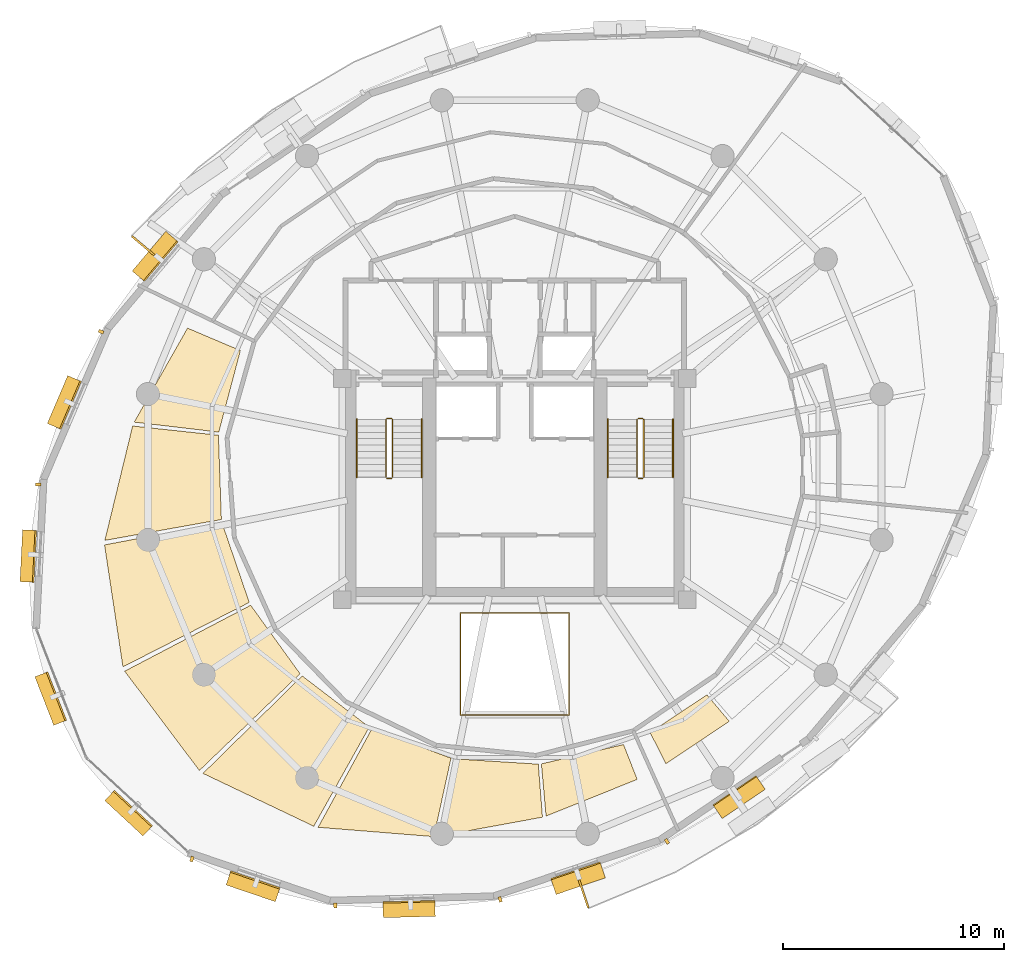
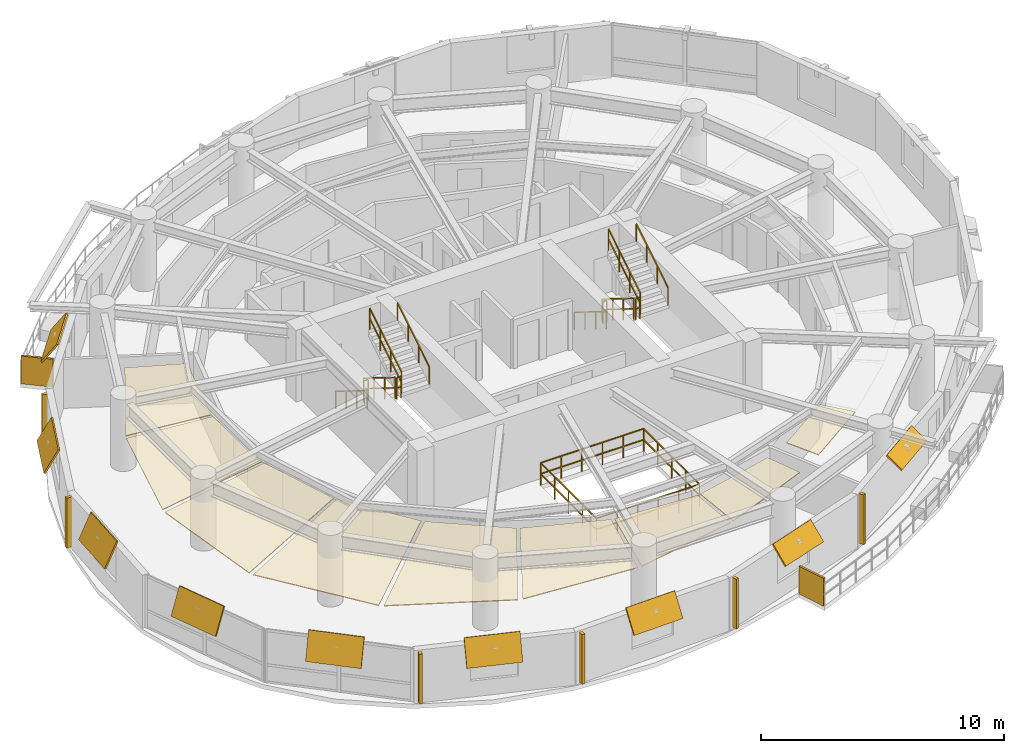
# One storey, part 11 of 12: 17 shading devices, 13 railings, 9 coverings.
"""IFC4 building model written with IfcOpenShell, lengths in metres."""

from ifc_helpers import new_model, si_unit, direction, frame, origin, origin_2d, place, context, subcontext, project, spatial, polyline, rectangle, outline, extrude, material, layer, layer_set, type_object, element, save


model = new_model("IFC4")

# Units and contexts
model_context = context("Model", 3, precision=1e-05, world=origin(), true_north=direction((0.0, 1.0)))
body_context = subcontext(model_context, "Body", "Model", "MODEL_VIEW")
ifc_project = project(units=[si_unit("LENGTHUNIT", "METRE"), si_unit("AREAUNIT", "SQUARE_METRE"), si_unit("VOLUMEUNIT", "CUBIC_METRE"), si_unit("PLANEANGLEUNIT", "RADIAN"), si_unit("MASSUNIT", "GRAM", prefix="KILO"), si_unit("THERMODYNAMICTEMPERATUREUNIT", "KELVIN"), si_unit("POWERUNIT", "WATT")], contexts=[model_context])

# Site, building, storey
site_placement = place(None, origin())
site = spatial("IfcSite", under=ifc_project, at=site_placement, CompositionType="ELEMENT")
building_placement = place(site_placement, origin())
building = spatial("IfcBuilding", under=site, at=building_placement, Name="Ocrelia Relay Tower", CompositionType="ELEMENT")
storey_placement = place(building_placement, frame((0.0, 0.0, 177.199951171875)))
storey = spatial("IfcBuildingStorey", under=building, at=storey_placement, Name="L42", CompositionType="ELEMENT", Elevation=177.199951171875)

# Coverings
ifc_material_1 = material(Name="Mineral-fiber acoustic ceiling tile", Category="gypsum")
ifc_layer_1 = layer(ifc_material_1, 0.0400390625, Name="Mineral-fiber acoustic ceiling tile")
ifc_layer_set_1 = layer_set([ifc_layer_1], Name="Mineral-fiber acoustic ceiling tile")
covering_type = type_object("IfcCoveringType", Name="COV-CEIL-ACOUSTIC", PredefinedType="CEILING", material=ifc_layer_set_1)
covering_1_placement = place(storey_placement, frame((0.0, 0.0, 2.380126953125)))
element("IfcCovering", 1, at=covering_1_placement, inside=storey, type_object=covering_type, Name="L42 Architecture Seminar Room Suspended Ceiling 1", PredefinedType="CEILING", context=body_context, shape_type="SweptSolid", body=[
    extrude(outline(polyline([(21.600830078125, 31.26318359375), (19.21044921875, 32.27783203125), (16.801513671875, 28.028076171875), (20.622802734375, 27.577392578125), (21.600830078125, 31.26318359375)])), origin(), (0.0, 0.0, 1.0), 0.0400390625),
])
covering_2_placement = place(storey_placement, frame((0.0, 0.0, 2.380126953125)))
element("IfcCovering", 2, at=covering_2_placement, inside=storey, type_object=covering_type, Name="L42 Architecture Seminar Room Suspended Ceiling 2", PredefinedType="CEILING", context=body_context, shape_type="SweptSolid", body=[
    extrude(outline(polyline([(20.60693359375, 27.437255859375), (16.72900390625, 27.853515625), (15.473388671875, 22.68310546875), (20.74072265625, 23.626220703125), (20.60693359375, 27.437255859375)])), origin(), (0.0, 0.0, 1.0), 0.0400390625),
])
covering_3_placement = place(storey_placement, frame((0.0, 0.0, 2.380126953125)))
element("IfcCovering", 3, at=covering_3_placement, inside=storey, type_object=covering_type, Name="L42 Architecture Seminar Room Suspended Ceiling 3", PredefinedType="CEILING", context=body_context, shape_type="SweptSolid", body=[
    extrude(outline(polyline([(20.766357421875, 23.487548828125), (15.459716796875, 22.47998046875), (16.291015625, 16.967041015625), (22.000732421875, 19.87939453125), (20.766357421875, 23.487548828125)])), origin(), (0.0, 0.0, 1.0), 0.0400390625),
])
covering_4_placement = place(storey_placement, frame((0.0, 0.0, 2.380126953125)))
element("IfcCovering", 4, at=covering_4_placement, inside=storey, type_object=covering_type, Name="L42 Architecture Seminar Room Suspended Ceiling 4", PredefinedType="CEILING", context=body_context, shape_type="SweptSolid", body=[
    extrude(outline(polyline([(22.065673828125, 19.754150390625), (16.36962890625, 16.773193359375), (19.74560546875, 12.28271484375), (24.294189453125, 16.659912109375), (22.065673828125, 19.754150390625)])), origin(), (0.0, 0.0, 1.0), 0.0400390625),
])
covering_5_placement = place(storey_placement, frame((0.0, 0.0, 2.380126953125)))
element("IfcCovering", 5, at=covering_5_placement, inside=storey, type_object=covering_type, Name="L42 Architecture Seminar Room Suspended Ceiling 5", PredefinedType="CEILING", context=body_context, shape_type="SweptSolid", body=[
    extrude(outline(polyline([(24.392578125, 16.558837890625), (19.9091796875, 12.15283203125), (24.91650390625, 9.763916015625), (27.42333984375, 14.24462890625), (24.392578125, 16.558837890625)])), origin(), (0.0, 0.0, 1.0), 0.0400390625),
])
covering_6_placement = place(storey_placement, frame((0.0, 0.0, 2.380126953125)))
element("IfcCovering", 6, at=covering_6_placement, inside=storey, type_object=covering_type, Name="L42 Architecture Seminar Room Suspended Ceiling 6", PredefinedType="CEILING", context=body_context, shape_type="SweptSolid", body=[
    extrude(outline(polyline([(27.546875, 14.176513671875), (25.1123046875, 9.7158203125), (30.342529296875, 9.295166015625), (31.118896484375, 12.841796875), (27.546875, 14.176513671875)])), origin(), (0.0, 0.0, 1.0), 0.0400390625),
])
covering_7_placement = place(storey_placement, frame((0.0, 0.0, 2.380126953125)))
element("IfcCovering", 7, at=covering_7_placement, inside=storey, type_object=covering_type, Name="L42 Architecture Seminar Room Suspended Ceiling 7", PredefinedType="CEILING", context=body_context, shape_type="SweptSolid", body=[
    extrude(outline(polyline([(31.2568359375, 12.812255859375), (30.52783203125, 9.307373046875), (35.25244140625, 10.17431640625), (35.062744140625, 12.572021484375), (31.2568359375, 12.812255859375)])), origin(), (0.0, 0.0, 1.0), 0.0400390625),
])
covering_8_placement = place(storey_placement, frame((0.0, 0.0, 2.380126953125)))
element("IfcCovering", 8, at=covering_8_placement, inside=storey, type_object=covering_type, Name="L42 Architecture Seminar Room Suspended Ceiling 8", PredefinedType="CEILING", context=body_context, shape_type="SweptSolid", body=[
    extrude(outline(polyline([(35.203369140625, 12.583984375), (35.4150390625, 10.22265625), (39.532958984375, 11.8818359375), (38.914794921875, 13.458740234375), (35.203369140625, 12.583984375)])), origin(), (0.0, 0.0, 1.0), 0.0400390625),
])
covering_9_placement = place(storey_placement, frame((0.0, 0.0, 2.380126953125)))
element("IfcCovering", 9, at=covering_9_placement, inside=storey, type_object=covering_type, Name="L42 Shift Staff Lounge Suspended Ceiling 1", PredefinedType="CEILING", context=body_context, shape_type="SweptSolid", body=[
    extrude(outline(polyline([(40.115234375, 13.998046875), (40.83349609375, 12.588623046875), (43.694580078125, 14.507568359375), (42.685302734375, 15.7041015625), (40.115234375, 13.998046875)])), origin(), (0.0, 0.0, 1.0), 0.0400390625),
])

# Railings
ifc_material_2 = material(Name="Steel S355 atrium balustrade", Category="steel")
railing_type_1 = type_object("IfcRailingType", Name="RL-INT-GUARD-115", PredefinedType="GUARDRAIL", material=ifc_material_2)
railing_1_placement = place(storey_placement, frame((31.550048828125, 14.800048828125, 0.0)))
element("IfcRailing", 10, at=railing_1_placement, inside=storey, type_object=railing_type_1, Name="L42 Multi-Zone Interior Atrium Guard", PredefinedType="GUARDRAIL", context=body_context, shape_type="SweptSolid", body=[
    extrude(rectangle(XDim=0.048095703125, YDim=0.048095703125, at=origin_2d()), frame((0.0, 0.0, 1.1259765625), z_axis=(1.0, 0.0, 0.0), x_axis=(0.0, 1.0, 0.0)), (0.0, 0.0, 1.0), 4.89990234375),
    extrude(rectangle(XDim=0.048095703125, YDim=0.048095703125, at=origin_2d()), frame((0.0, 0.0, 0.574951171875), z_axis=(1.0, 0.0, 0.0), x_axis=(0.0, 1.0, 0.0)), (0.0, 0.0, 1.0), 4.89990234375),
    extrude(rectangle(XDim=0.048095703125, YDim=0.048095703125, at=origin_2d()), frame((4.89990234375, 0.0, 1.1259765625), z_axis=(0.0, 1.0, 0.0), x_axis=(-1.0, 0.0, 0.0)), (0.0, 0.0, 1.0), 4.599853515625),
    extrude(rectangle(XDim=0.048095703125, YDim=0.048095703125, at=origin_2d()), frame((4.89990234375, 0.0, 0.574951171875), z_axis=(0.0, 1.0, 0.0), x_axis=(-1.0, 0.0, 0.0)), (0.0, 0.0, 1.0), 4.599853515625),
    extrude(rectangle(XDim=0.048095703125, YDim=0.048095703125, at=origin_2d()), frame((4.89990234375, 4.599853515625, 1.1259765625), z_axis=(-1.0, 0.0, 0.0), x_axis=(0.0, -1.0, 0.0)), (0.0, 0.0, 1.0), 4.89990234375),
    extrude(rectangle(XDim=0.048095703125, YDim=0.048095703125, at=origin_2d()), frame((4.89990234375, 4.599853515625, 0.574951171875), z_axis=(-1.0, 0.0, 0.0), x_axis=(0.0, -1.0, 0.0)), (0.0, 0.0, 1.0), 4.89990234375),
    extrude(rectangle(XDim=0.048095703125, YDim=0.048095703125, at=origin_2d()), frame((0.0, 4.599853515625, 1.1259765625), z_axis=(0.0, -1.0, 0.0), x_axis=(1.0, 0.0, 0.0)), (0.0, 0.0, 1.0), 4.599853515625),
    extrude(rectangle(XDim=0.048095703125, YDim=0.048095703125, at=origin_2d()), frame((0.0, 4.599853515625, 0.574951171875), z_axis=(0.0, -1.0, 0.0), x_axis=(1.0, 0.0, 0.0)), (0.0, 0.0, 1.0), 4.599853515625),
    extrude(rectangle(XDim=0.0419921875, YDim=0.0419921875, at=origin_2d()), origin(), (0.0, 0.0, 1.0), 1.101806640625),
    extrude(rectangle(XDim=0.0419921875, YDim=0.0419921875, at=origin_2d()), frame((0.97998046875, 0.0, 0.0)), (0.0, 0.0, 1.0), 1.101806640625),
    extrude(rectangle(XDim=0.0419921875, YDim=0.0419921875, at=origin_2d()), frame((1.9599609375, 0.0, 0.0)), (0.0, 0.0, 1.0), 1.101806640625),
    extrude(rectangle(XDim=0.0419921875, YDim=0.0419921875, at=origin_2d()), frame((2.93994140625, 0.0, 0.0)), (0.0, 0.0, 1.0), 1.101806640625),
    extrude(rectangle(XDim=0.0419921875, YDim=0.0419921875, at=origin_2d()), frame((3.919921875, 0.0, 0.0)), (0.0, 0.0, 1.0), 1.101806640625),
    extrude(rectangle(XDim=0.0419921875, YDim=0.0419921875, at=origin_2d()), frame((4.89990234375, 0.0, 0.0)), (0.0, 0.0, 1.0), 1.101806640625),
    extrude(rectangle(XDim=0.0419921875, YDim=0.0419921875, at=origin_2d()), frame((4.89990234375, 1.14990234375, 0.0)), (0.0, 0.0, 1.0), 1.101806640625),
    extrude(rectangle(XDim=0.0419921875, YDim=0.0419921875, at=origin_2d()), frame((4.89990234375, 2.2998046875, 0.0)), (0.0, 0.0, 1.0), 1.101806640625),
    extrude(rectangle(XDim=0.0419921875, YDim=0.0419921875, at=origin_2d()), frame((4.89990234375, 3.449951171875, 0.0)), (0.0, 0.0, 1.0), 1.101806640625),
    extrude(rectangle(XDim=0.0419921875, YDim=0.0419921875, at=origin_2d()), frame((4.89990234375, 4.599853515625, 0.0)), (0.0, 0.0, 1.0), 1.101806640625),
    extrude(rectangle(XDim=0.0419921875, YDim=0.0419921875, at=origin_2d()), frame((3.919921875, 4.599853515625, 0.0)), (0.0, 0.0, 1.0), 1.101806640625),
    extrude(rectangle(XDim=0.0419921875, YDim=0.0419921875, at=origin_2d()), frame((2.93994140625, 4.599853515625, 0.0)), (0.0, 0.0, 1.0), 1.101806640625),
    extrude(rectangle(XDim=0.0419921875, YDim=0.0419921875, at=origin_2d()), frame((1.9599609375, 4.599853515625, 0.0)), (0.0, 0.0, 1.0), 1.101806640625),
    extrude(rectangle(XDim=0.0419921875, YDim=0.0419921875, at=origin_2d()), frame((0.97998046875, 4.599853515625, 0.0)), (0.0, 0.0, 1.0), 1.101806640625),
    extrude(rectangle(XDim=0.0419921875, YDim=0.0419921875, at=origin_2d()), frame((0.0, 4.599853515625, 0.0)), (0.0, 0.0, 1.0), 1.101806640625),
    extrude(rectangle(XDim=0.0419921875, YDim=0.0419921875, at=origin_2d()), frame((0.0, 3.449951171875, 0.0)), (0.0, 0.0, 1.0), 1.101806640625),
    extrude(rectangle(XDim=0.0419921875, YDim=0.0419921875, at=origin_2d()), frame((0.0, 2.2998046875, 0.0)), (0.0, 0.0, 1.0), 1.101806640625),
    extrude(rectangle(XDim=0.0419921875, YDim=0.0419921875, at=origin_2d()), frame((0.0, 1.14990234375, 0.0)), (0.0, 0.0, 1.0), 1.101806640625),
])
ifc_material_3 = material(Name="Steel S355 balustrade", Category="steel")
railing_type_2 = type_object("IfcRailingType", Name="RL-STAIR-GUARD", PredefinedType="GUARDRAIL", material=ifc_material_3)
railing_2_placement = place(storey_placement, frame((28.179931640625, 28.14990234375, 0.179931640625)))
element("IfcRailing", 11, at=railing_2_placement, inside=storey, type_object=railing_type_2, Name="L42 ST1 stair guard 1", PredefinedType="GUARDRAIL", context=body_context, shape_type="SweptSolid", body=[
    extrude(rectangle(XDim=0.048095703125, YDim=0.048095703125, at=origin_2d()), frame((0.0, 0.0, 1.076171875), z_axis=(0.0, -0.849610693518, 0.52741034258), x_axis=(1.0, 0.0, 0.0)), (0.0, 0.0, 1.0), 3.07177734375),
    extrude(rectangle(XDim=0.048095703125, YDim=0.048095703125, at=origin_2d()), frame((0.0, 0.0, 0.550048828125), z_axis=(0.0, -0.849610693518, 0.52741034258), x_axis=(1.0, 0.0, 0.0)), (0.0, 0.0, 1.0), 3.07177734375),
    extrude(rectangle(XDim=0.0419921875, YDim=0.0419921875, at=origin_2d()), origin(), (0.0, 0.0, 1.0), 1.052001953125),
    extrude(rectangle(XDim=0.0419921875, YDim=0.0419921875, at=origin_2d()), frame((0.0, -0.869873046875, 0.5400390625)), (0.0, 0.0, 1.0), 1.052001953125),
    extrude(rectangle(XDim=0.0419921875, YDim=0.0419921875, at=origin_2d()), frame((0.0, -1.739990234375, 1.080078125)), (0.0, 0.0, 1.0), 1.052001953125),
    extrude(rectangle(XDim=0.0419921875, YDim=0.0419921875, at=origin_2d()), frame((0.0, -2.60986328125, 1.6201171875)), (0.0, 0.0, 1.0), 1.052001953125),
])
railing_3_placement = place(storey_placement, frame((28.22998046875, 25.489990234375, 1.800048828125)))
element("IfcRailing", 12, at=railing_3_placement, inside=storey, type_object=railing_type_2, Name="L42 ST1 stair guard 2", PredefinedType="GUARDRAIL", context=body_context, shape_type="SweptSolid", body=[
    extrude(rectangle(XDim=0.048095703125, YDim=0.048095703125, at=origin_2d()), frame((0.0, 0.0, 1.076171875), z_axis=(1.0, 0.0, 0.0), x_axis=(0.0, 1.0, 0.0)), (0.0, 0.0, 1.0), 0.199951171875),
    extrude(rectangle(XDim=0.048095703125, YDim=0.048095703125, at=origin_2d()), frame((0.0, 0.0, 0.550048828125), z_axis=(1.0, 0.0, 0.0), x_axis=(0.0, 1.0, 0.0)), (0.0, 0.0, 1.0), 0.199951171875),
    extrude(rectangle(XDim=0.0419921875, YDim=0.0419921875, at=origin_2d()), origin(), (0.0, 0.0, 1.0), 1.052001953125),
    extrude(rectangle(XDim=0.0419921875, YDim=0.0419921875, at=origin_2d()), frame((0.199951171875, 0.0, 0.0)), (0.0, 0.0, 1.0), 1.052001953125),
])
railing_4_placement = place(storey_placement, frame((28.47998046875, 25.5400390625, 1.97998046875)))
element("IfcRailing", 13, at=railing_4_placement, inside=storey, type_object=railing_type_2, Name="L42 ST1 stair guard 3", PredefinedType="GUARDRAIL", context=body_context, shape_type="SweptSolid", body=[
    extrude(rectangle(XDim=0.048095703125, YDim=0.048095703125, at=origin_2d()), frame((0.0, 0.0, 1.076171875), z_axis=(0.0, 0.849610693518, 0.52741034258), x_axis=(-1.0, 0.0, 0.0)), (0.0, 0.0, 1.0), 3.07177734375),
    extrude(rectangle(XDim=0.048095703125, YDim=0.048095703125, at=origin_2d()), frame((0.0, 0.0, 0.550048828125), z_axis=(0.0, 0.849610693518, 0.52741034258), x_axis=(-1.0, 0.0, 0.0)), (0.0, 0.0, 1.0), 3.07177734375),
    extrude(rectangle(XDim=0.0419921875, YDim=0.0419921875, at=origin_2d()), origin(), (0.0, 0.0, 1.0), 1.052001953125),
    extrude(rectangle(XDim=0.0419921875, YDim=0.0419921875, at=origin_2d()), frame((0.0, 0.869873046875, 0.5400390625)), (0.0, 0.0, 1.0), 1.052001953125),
    extrude(rectangle(XDim=0.0419921875, YDim=0.0419921875, at=origin_2d()), frame((0.0, 1.739990234375, 1.080078125)), (0.0, 0.0, 1.0), 1.052001953125),
    extrude(rectangle(XDim=0.0419921875, YDim=0.0419921875, at=origin_2d()), frame((0.0, 2.60986328125, 1.6201171875)), (0.0, 0.0, 1.0), 1.052001953125),
])
railing_5_placement = place(storey_placement, frame((28.22998046875, 28.199951171875, 0.0)))
element("IfcRailing", 14, at=railing_5_placement, inside=storey, type_object=railing_type_2, Name="L42 ST1 stair guard 4", PredefinedType="GUARDRAIL", context=body_context, shape_type="SweptSolid", body=[
    extrude(rectangle(XDim=0.048095703125, YDim=0.048095703125, at=origin_2d()), frame((0.0, 0.0, 1.076171875), z_axis=(1.0, 0.0, 0.0), x_axis=(0.0, 1.0, 0.0)), (0.0, 0.0, 1.0), 0.199951171875),
    extrude(rectangle(XDim=0.048095703125, YDim=0.048095703125, at=origin_2d()), frame((0.0, 0.0, 0.550048828125), z_axis=(1.0, 0.0, 0.0), x_axis=(0.0, 1.0, 0.0)), (0.0, 0.0, 1.0), 0.199951171875),
    extrude(rectangle(XDim=0.0419921875, YDim=0.0419921875, at=origin_2d()), origin(), (0.0, 0.0, 1.0), 1.052001953125),
    extrude(rectangle(XDim=0.0419921875, YDim=0.0419921875, at=origin_2d()), frame((0.199951171875, 0.0, 0.0)), (0.0, 0.0, 1.0), 1.052001953125),
])
railing_6_placement = place(storey_placement, frame((39.530029296875, 28.14990234375, 0.179931640625)))
element("IfcRailing", 15, at=railing_6_placement, inside=storey, type_object=railing_type_2, Name="L42 ST2 stair guard 1", PredefinedType="GUARDRAIL", context=body_context, shape_type="SweptSolid", body=[
    extrude(rectangle(XDim=0.048095703125, YDim=0.048095703125, at=origin_2d()), frame((0.0, 0.0, 1.076171875), z_axis=(0.0, -0.849610693518, 0.52741034258), x_axis=(1.0, 0.0, 0.0)), (0.0, 0.0, 1.0), 3.07177734375),
    extrude(rectangle(XDim=0.048095703125, YDim=0.048095703125, at=origin_2d()), frame((0.0, 0.0, 0.550048828125), z_axis=(0.0, -0.849610693518, 0.52741034258), x_axis=(1.0, 0.0, 0.0)), (0.0, 0.0, 1.0), 3.07177734375),
    extrude(rectangle(XDim=0.0419921875, YDim=0.0419921875, at=origin_2d()), origin(), (0.0, 0.0, 1.0), 1.052001953125),
    extrude(rectangle(XDim=0.0419921875, YDim=0.0419921875, at=origin_2d()), frame((0.0, -0.869873046875, 0.5400390625)), (0.0, 0.0, 1.0), 1.052001953125),
    extrude(rectangle(XDim=0.0419921875, YDim=0.0419921875, at=origin_2d()), frame((0.0, -1.739990234375, 1.080078125)), (0.0, 0.0, 1.0), 1.052001953125),
    extrude(rectangle(XDim=0.0419921875, YDim=0.0419921875, at=origin_2d()), frame((0.0, -2.60986328125, 1.6201171875)), (0.0, 0.0, 1.0), 1.052001953125),
])
railing_7_placement = place(storey_placement, frame((39.580078125, 25.489990234375, 1.800048828125)))
element("IfcRailing", 16, at=railing_7_placement, inside=storey, type_object=railing_type_2, Name="L42 ST2 stair guard 2", PredefinedType="GUARDRAIL", context=body_context, shape_type="SweptSolid", body=[
    extrude(rectangle(XDim=0.048095703125, YDim=0.048095703125, at=origin_2d()), frame((0.0, 0.0, 1.076171875), z_axis=(1.0, 0.0, 0.0), x_axis=(0.0, 1.0, 0.0)), (0.0, 0.0, 1.0), 0.199951171875),
    extrude(rectangle(XDim=0.048095703125, YDim=0.048095703125, at=origin_2d()), frame((0.0, 0.0, 0.550048828125), z_axis=(1.0, 0.0, 0.0), x_axis=(0.0, 1.0, 0.0)), (0.0, 0.0, 1.0), 0.199951171875),
    extrude(rectangle(XDim=0.0419921875, YDim=0.0419921875, at=origin_2d()), origin(), (0.0, 0.0, 1.0), 1.052001953125),
    extrude(rectangle(XDim=0.0419921875, YDim=0.0419921875, at=origin_2d()), frame((0.199951171875, 0.0, 0.0)), (0.0, 0.0, 1.0), 1.052001953125),
])
railing_8_placement = place(storey_placement, frame((39.830078125, 25.5400390625, 1.97998046875)))
element("IfcRailing", 17, at=railing_8_placement, inside=storey, type_object=railing_type_2, Name="L42 ST2 stair guard 3", PredefinedType="GUARDRAIL", context=body_context, shape_type="SweptSolid", body=[
    extrude(rectangle(XDim=0.048095703125, YDim=0.048095703125, at=origin_2d()), frame((0.0, 0.0, 1.076171875), z_axis=(0.0, 0.849610693518, 0.52741034258), x_axis=(-1.0, 0.0, 0.0)), (0.0, 0.0, 1.0), 3.07177734375),
    extrude(rectangle(XDim=0.048095703125, YDim=0.048095703125, at=origin_2d()), frame((0.0, 0.0, 0.550048828125), z_axis=(0.0, 0.849610693518, 0.52741034258), x_axis=(-1.0, 0.0, 0.0)), (0.0, 0.0, 1.0), 3.07177734375),
    extrude(rectangle(XDim=0.0419921875, YDim=0.0419921875, at=origin_2d()), origin(), (0.0, 0.0, 1.0), 1.052001953125),
    extrude(rectangle(XDim=0.0419921875, YDim=0.0419921875, at=origin_2d()), frame((0.0, 0.869873046875, 0.5400390625)), (0.0, 0.0, 1.0), 1.052001953125),
    extrude(rectangle(XDim=0.0419921875, YDim=0.0419921875, at=origin_2d()), frame((0.0, 1.739990234375, 1.080078125)), (0.0, 0.0, 1.0), 1.052001953125),
    extrude(rectangle(XDim=0.0419921875, YDim=0.0419921875, at=origin_2d()), frame((0.0, 2.60986328125, 1.6201171875)), (0.0, 0.0, 1.0), 1.052001953125),
])
railing_9_placement = place(storey_placement, frame((39.580078125, 28.199951171875, 0.0)))
element("IfcRailing", 18, at=railing_9_placement, inside=storey, type_object=railing_type_2, Name="L42 ST2 stair guard 4", PredefinedType="GUARDRAIL", context=body_context, shape_type="SweptSolid", body=[
    extrude(rectangle(XDim=0.048095703125, YDim=0.048095703125, at=origin_2d()), frame((0.0, 0.0, 1.076171875), z_axis=(1.0, 0.0, 0.0), x_axis=(0.0, 1.0, 0.0)), (0.0, 0.0, 1.0), 0.199951171875),
    extrude(rectangle(XDim=0.048095703125, YDim=0.048095703125, at=origin_2d()), frame((0.0, 0.0, 0.550048828125), z_axis=(1.0, 0.0, 0.0), x_axis=(0.0, 1.0, 0.0)), (0.0, 0.0, 1.0), 0.199951171875),
    extrude(rectangle(XDim=0.0419921875, YDim=0.0419921875, at=origin_2d()), origin(), (0.0, 0.0, 1.0), 1.052001953125),
    extrude(rectangle(XDim=0.0419921875, YDim=0.0419921875, at=origin_2d()), frame((0.199951171875, 0.0, 0.0)), (0.0, 0.0, 1.0), 1.052001953125),
])
ifc_material_4 = material(Name="Steel S355 tubular handrail", Category="steel")
railing_type_3 = type_object("IfcRailingType", Name="RL-STAIR-HAND", PredefinedType="HANDRAIL", material=ifc_material_4)
railing_10_placement = place(storey_placement, frame((26.860107421875, 28.14990234375, 0.179931640625)))
element("IfcRailing", 19, at=railing_10_placement, inside=storey, type_object=railing_type_3, Name="L42 ST1 stair handrail 1", PredefinedType="HANDRAIL", context=body_context, shape_type="SweptSolid", body=[
    extrude(rectangle(XDim=0.048095703125, YDim=0.048095703125, at=origin_2d()), frame((0.0, 0.0, 0.8759765625), z_axis=(0.0, -0.849610693518, 0.52741034258), x_axis=(1.0, 0.0, 0.0)), (0.0, 0.0, 1.0), 3.07177734375),
    extrude(rectangle(XDim=0.0419921875, YDim=0.0419921875, at=origin_2d()), origin(), (0.0, 0.0, 1.0), 0.851806640625),
    extrude(rectangle(XDim=0.0419921875, YDim=0.0419921875, at=origin_2d()), frame((0.0, -0.869873046875, 0.5400390625)), (0.0, 0.0, 1.0), 0.851806640625),
    extrude(rectangle(XDim=0.0419921875, YDim=0.0419921875, at=origin_2d()), frame((0.0, -1.739990234375, 1.080078125)), (0.0, 0.0, 1.0), 0.851806640625),
    extrude(rectangle(XDim=0.0419921875, YDim=0.0419921875, at=origin_2d()), frame((0.0, -2.60986328125, 1.6201171875)), (0.0, 0.0, 1.0), 0.851806640625),
])
railing_11_placement = place(storey_placement, frame((29.800048828125, 25.5400390625, 1.97998046875)))
element("IfcRailing", 20, at=railing_11_placement, inside=storey, type_object=railing_type_3, Name="L42 ST1 stair handrail 2", PredefinedType="HANDRAIL", context=body_context, shape_type="SweptSolid", body=[
    extrude(rectangle(XDim=0.048095703125, YDim=0.048095703125, at=origin_2d()), frame((0.0, 0.0, 0.8759765625), z_axis=(0.0, 0.849610693518, 0.52741034258), x_axis=(-1.0, 0.0, 0.0)), (0.0, 0.0, 1.0), 3.07177734375),
    extrude(rectangle(XDim=0.0419921875, YDim=0.0419921875, at=origin_2d()), origin(), (0.0, 0.0, 1.0), 0.851806640625),
    extrude(rectangle(XDim=0.0419921875, YDim=0.0419921875, at=origin_2d()), frame((0.0, 0.869873046875, 0.5400390625)), (0.0, 0.0, 1.0), 0.851806640625),
    extrude(rectangle(XDim=0.0419921875, YDim=0.0419921875, at=origin_2d()), frame((0.0, 1.739990234375, 1.080078125)), (0.0, 0.0, 1.0), 0.851806640625),
    extrude(rectangle(XDim=0.0419921875, YDim=0.0419921875, at=origin_2d()), frame((0.0, 2.60986328125, 1.6201171875)), (0.0, 0.0, 1.0), 0.851806640625),
])
railing_12_placement = place(storey_placement, frame((38.2099609375, 28.14990234375, 0.179931640625)))
element("IfcRailing", 21, at=railing_12_placement, inside=storey, type_object=railing_type_3, Name="L42 ST2 stair handrail 1", PredefinedType="HANDRAIL", context=body_context, shape_type="SweptSolid", body=[
    extrude(rectangle(XDim=0.048095703125, YDim=0.048095703125, at=origin_2d()), frame((0.0, 0.0, 0.8759765625), z_axis=(0.0, -0.849610693518, 0.52741034258), x_axis=(1.0, 0.0, 0.0)), (0.0, 0.0, 1.0), 3.07177734375),
    extrude(rectangle(XDim=0.0419921875, YDim=0.0419921875, at=origin_2d()), origin(), (0.0, 0.0, 1.0), 0.851806640625),
    extrude(rectangle(XDim=0.0419921875, YDim=0.0419921875, at=origin_2d()), frame((0.0, -0.869873046875, 0.5400390625)), (0.0, 0.0, 1.0), 0.851806640625),
    extrude(rectangle(XDim=0.0419921875, YDim=0.0419921875, at=origin_2d()), frame((0.0, -1.739990234375, 1.080078125)), (0.0, 0.0, 1.0), 0.851806640625),
    extrude(rectangle(XDim=0.0419921875, YDim=0.0419921875, at=origin_2d()), frame((0.0, -2.60986328125, 1.6201171875)), (0.0, 0.0, 1.0), 0.851806640625),
])
railing_13_placement = place(storey_placement, frame((41.14990234375, 25.5400390625, 1.97998046875)))
element("IfcRailing", 22, at=railing_13_placement, inside=storey, type_object=railing_type_3, Name="L42 ST2 stair handrail 2", PredefinedType="HANDRAIL", context=body_context, shape_type="SweptSolid", body=[
    extrude(rectangle(XDim=0.048095703125, YDim=0.048095703125, at=origin_2d()), frame((0.0, 0.0, 0.8759765625), z_axis=(0.0, 0.849610693518, 0.52741034258), x_axis=(-1.0, 0.0, 0.0)), (0.0, 0.0, 1.0), 3.07177734375),
    extrude(rectangle(XDim=0.0419921875, YDim=0.0419921875, at=origin_2d()), origin(), (0.0, 0.0, 1.0), 0.851806640625),
    extrude(rectangle(XDim=0.0419921875, YDim=0.0419921875, at=origin_2d()), frame((0.0, 0.869873046875, 0.5400390625)), (0.0, 0.0, 1.0), 0.851806640625),
    extrude(rectangle(XDim=0.0419921875, YDim=0.0419921875, at=origin_2d()), frame((0.0, 1.739990234375, 1.080078125)), (0.0, 0.0, 1.0), 0.851806640625),
    extrude(rectangle(XDim=0.0419921875, YDim=0.0419921875, at=origin_2d()), frame((0.0, 2.60986328125, 1.6201171875)), (0.0, 0.0, 1.0), 0.851806640625),
])

# Shading devices
ifc_material_5 = material(Name="Perforated oxide terracotta solar screen", Category="masonry")
ifc_layer_2 = layer(ifc_material_5, 0.090087890625, Name="Perforated oxide terracotta solar screen")
ifc_layer_set_2 = layer_set([ifc_layer_2], Name="Perforated oxide terracotta solar screen")
shading_device_type_1 = type_object("IfcShadingDeviceType", Name="SH-BALC-SCREEN", PredefinedType="USERDEFINED", material=ifc_layer_set_2)
for number, where, z_axis, x_axis, name in (
    (23, (17.20849609375, 35.9990234375, 0.0), (0.0, 0.0, 1.0), (-0.76428927285, 0.644873559239, 0.0), "L42 Balcony Perforated Terracotta Screen B1-2"),
    (24, (37.115478515625, 6.706787109375, 0.0), (0.0, 0.0, 1.0), (0.31820780193, -0.948020988582, 0.0), "L42 Balcony Perforated Terracotta Screen B2-1"),
):
    element("IfcShadingDevice", number, at=place(storey_placement, frame(where, z_axis=z_axis, x_axis=x_axis)), inside=storey, type_object=shading_device_type_1, Name=name, ObjectType="SCREEN", PredefinedType="USERDEFINED", context=body_context, shape_type="SweptSolid", body=[
        extrude(rectangle(XDim=1.340087890625, YDim=0.090087890625, at=origin_2d()), origin(), (0.0, 0.0, 1.0), 1.39990234375),
    ])
ifc_material_6 = material(Name="Extruded oxide terracotta vertical baguette", Category="masonry")
shading_device_type_2 = type_object("IfcShadingDeviceType", Name="SH-TERR-BAGUETTE", PredefinedType="USERDEFINED", material=ifc_material_6)
for number, where, z_axis, x_axis, name in (
    (25, (15.30419921875, 32.114501953125, 0.080078125), (0.0, 0.0, 1.0), (-0.392412915575, -0.919789162629, 0.0), "L42 Oxide Terracotta Vertical Baguette 07"),
    (26, (12.46533203125, 25.21240234375, 0.080078125), (0.0, 0.0, 1.0), (-0.049607084191, -0.998768810685, 0.0), "L42 Oxide Terracotta Vertical Baguette 08"),
    (27, (19.407958984375, 8.281982421875, 0.080078125), (0.0, 0.0, 1.0), (0.946896749251, -0.321537783561, 0.0), "L42 Oxide Terracotta Vertical Baguette 11"),
    (28, (25.887451171875, 6.1845703125, 0.080078125), (0.0, 0.0, 1.0), (0.999655358525, 0.026251936536, 0.0), "L42 Oxide Terracotta Vertical Baguette 12"),
    (29, (33.33740234375, 6.461181640625, 0.080078125), (0.0, 0.0, 1.0), (0.947535460994, 0.319650668948, 0.0), "L42 Oxide Terracotta Vertical Baguette 13"),
    (30, (40.87548828125, 9.080810546875, 0.080078125), (0.0, 0.0, 1.0), (0.827082100661, 0.562081131836, 0.0), "L42 Oxide Terracotta Vertical Baguette 14"),
):
    element("IfcShadingDevice", number, at=place(storey_placement, frame(where, z_axis=z_axis, x_axis=x_axis)), inside=storey, type_object=shading_device_type_2, Name=name, ObjectType="BAGUETTE", PredefinedType="USERDEFINED", context=body_context, shape_type="SweptSolid", body=[
        extrude(rectangle(XDim=0.139892578125, YDim=0.239990234375, at=origin_2d()), origin(), (0.0, 0.0, 1.0), 2.5),
    ])
ifc_material_7 = material(Name="Extruded oxide terracotta fin", Category="masonry")
ifc_layer_3 = layer(ifc_material_7, 0.080078125, Name="Extruded oxide terracotta fin")
ifc_layer_set_3 = layer_set([ifc_layer_3], Name="Extruded oxide terracotta fin")
shading_device_type_3 = type_object("IfcShadingDeviceType", Name="SH-VISOR-FIN-DEEP", PredefinedType="USERDEFINED", material=ifc_layer_set_3)
shading_device_1_placement = place(storey_placement, frame((17.77294921875, 35.49658203125, 2.477294921875), z_axis=(-0.630133867957, 0.533286322563, 0.564390827903), x_axis=(-0.646010098491, -0.763328862711, 0.0)))
element("IfcShadingDevice", 31, at=shading_device_1_placement, inside=storey, type_object=shading_device_type_3, Name="L42 Canted Terracotta Sun-Visor Fin 06", ObjectType="FIN", PredefinedType="USERDEFINED", context=body_context, shape_type="SweptSolid", body=[
    extrude(rectangle(XDim=2.35009765625, YDim=1.177001953125, at=origin_2d()), origin(), (0.0, 0.0, 1.0), 0.080078125),
])
shading_device_2_placement = place(storey_placement, frame((13.67626953125, 28.902587890625, 2.481201171875), z_axis=(-0.812802918072, 0.346768994273, 0.468084053333), x_axis=(-0.392412915575, -0.919789162629, 0.0)))
element("IfcShadingDevice", 32, at=shading_device_2_placement, inside=storey, type_object=shading_device_type_3, Name="L42 Canted Terracotta Sun-Visor Fin 07", ObjectType="FIN", PredefinedType="USERDEFINED", context=body_context, shape_type="SweptSolid", body=[
    extrude(rectangle(XDim=2.35009765625, YDim=1.284912109375, at=origin_2d()), origin(), (0.0, 0.0, 1.0), 0.080078125),
])
shading_device_3_placement = place(storey_placement, frame((12.05029296875, 21.974609375, 2.483154296875), z_axis=(-0.906806013493, 0.045039454351, 0.419135182781), x_axis=(-0.049607084191, -0.998768810685, 0.0)))
element("IfcShadingDevice", 33, at=shading_device_3_placement, inside=storey, type_object=shading_device_type_3, Name="L42 Canted Terracotta Sun-Visor Fin 08", ObjectType="FIN", PredefinedType="USERDEFINED", context=body_context, shape_type="SweptSolid", body=[
    extrude(rectangle(XDim=2.35009765625, YDim=1.3369140625, at=origin_2d()), origin(), (0.0, 0.0, 1.0), 0.080078125),
])
shading_device_4_placement = place(storey_placement, frame((13.06201171875, 15.548583984375, 2.483642578125), z_axis=(-0.851541328746, -0.330625082226, 0.406896080641), x_axis=(0.361942340578, -0.932200483854, 0.0)))
element("IfcShadingDevice", 34, at=shading_device_4_placement, inside=storey, type_object=shading_device_type_3, Name="L42 Canted Terracotta Sun-Visor Fin 09", ObjectType="FIN", PredefinedType="USERDEFINED", context=body_context, shape_type="SweptSolid", body=[
    extrude(rectangle(XDim=2.35009765625, YDim=1.35009765625, at=origin_2d()), origin(), (0.0, 0.0, 1.0), 0.080078125),
])
shading_device_5_placement = place(storey_placement, frame((16.578125, 10.3828125, 2.483154296875), z_axis=(-0.61586287152, -0.664609247786, 0.423092745435), x_axis=(0.733494357886, -0.679695539892, 0.0)))
element("IfcShadingDevice", 35, at=shading_device_5_placement, inside=storey, type_object=shading_device_type_3, Name="L42 Canted Terracotta Sun-Visor Fin 10", ObjectType="FIN", PredefinedType="USERDEFINED", context=body_context, shape_type="SweptSolid", body=[
    extrude(rectangle(XDim=2.35009765625, YDim=1.3330078125, at=origin_2d()), origin(), (0.0, 0.0, 1.0), 0.080078125),
])
shading_device_6_placement = place(storey_placement, frame((22.184326171875, 7.0849609375, 2.481201171875), z_axis=(-0.284216544013, -0.836989415768, 0.467621293358), x_axis=(0.946896749251, -0.321537783561, 0.0)))
element("IfcShadingDevice", 36, at=shading_device_6_placement, inside=storey, type_object=shading_device_type_3, Name="L42 Canted Terracotta Sun-Visor Fin 11", ObjectType="FIN", PredefinedType="USERDEFINED", context=body_context, shape_type="SweptSolid", body=[
    extrude(rectangle(XDim=2.35009765625, YDim=1.284912109375, at=origin_2d()), origin(), (0.0, 0.0, 1.0), 0.080078125),
])
shading_device_7_placement = place(storey_placement, frame((29.22265625, 6.056640625, 2.47802734375), z_axis=(0.021996741533, -0.837620512831, 0.545809508754), x_axis=(0.999655358525, 0.026251936536, 0.0)))
element("IfcShadingDevice", 37, at=shading_device_7_placement, inside=storey, type_object=shading_device_type_3, Name="L42 Canted Terracotta Sun-Visor Fin 12", ObjectType="FIN", PredefinedType="USERDEFINED", context=body_context, shape_type="SweptSolid", body=[
    extrude(rectangle(XDim=2.35009765625, YDim=1.198974609375, at=origin_2d()), origin(), (0.0, 0.0, 1.0), 0.080078125),
])
ifc_layer_4 = layer(ifc_material_7, 0.080078125, Name="Extruded oxide terracotta fin")
ifc_layer_set_4 = layer_set([ifc_layer_4], Name="Extruded oxide terracotta fin")
shading_device_type_4 = type_object("IfcShadingDeviceType", Name="SH-VISOR-FIN-MED", PredefinedType="USERDEFINED", material=ifc_layer_set_4)
shading_device_8_placement = place(storey_placement, frame((36.852294921875, 7.44580078125, 2.4736328125), z_axis=(0.24017890038, -0.71195854475, 0.659870537582), x_axis=(0.947535460994, 0.319650668948, 0.0)))
element("IfcShadingDevice", 38, at=shading_device_8_placement, inside=storey, type_object=shading_device_type_4, Name="L42 Canted Terracotta Sun-Visor Fin 13", ObjectType="FIN", PredefinedType="USERDEFINED", context=body_context, shape_type="SweptSolid", body=[
    extrude(rectangle(XDim=2.35009765625, YDim=1.06201171875, at=origin_2d()), origin(), (0.0, 0.0, 1.0), 0.080078125),
])
shading_device_9_placement = place(storey_placement, frame((44.123779296875, 11.10302734375, 2.468505859375), z_axis=(0.347287230642, -0.511020626708, 0.786288432137), x_axis=(0.827082100661, 0.562081131836, 0.0)))
element("IfcShadingDevice", 39, at=shading_device_9_placement, inside=storey, type_object=shading_device_type_4, Name="L42 Canted Terracotta Sun-Visor Fin 14", ObjectType="FIN", PredefinedType="USERDEFINED", context=body_context, shape_type="SweptSolid", body=[
    extrude(rectangle(XDim=2.35009765625, YDim=0.885986328125, at=origin_2d()), origin(), (0.0, 0.0, 1.0), 0.080078125),
])

save(model, "model.ifc")
